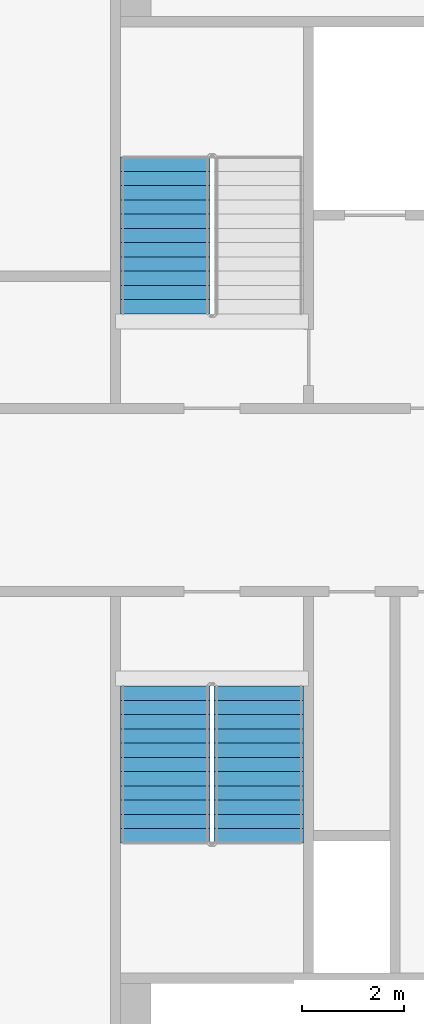
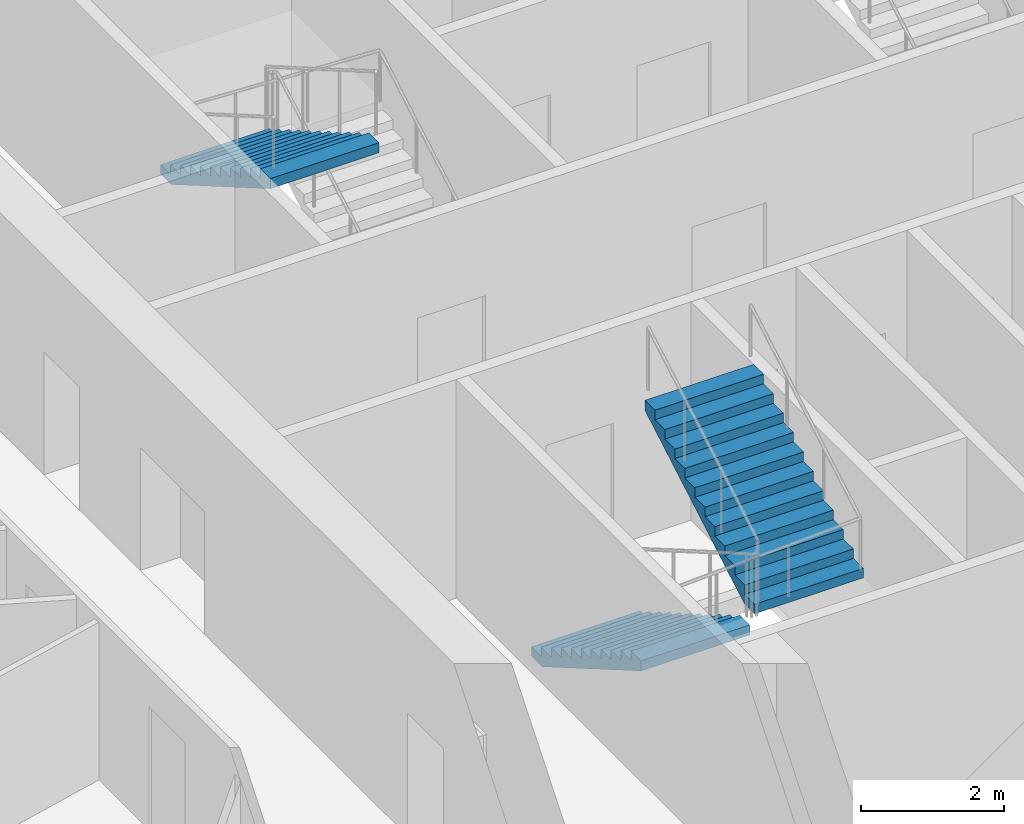
# One storey, part 15 of 22: 3 stair flights, 2 elements without a shape of their own.
"""IFC4 building model written with IfcOpenShell, lengths in metres."""

import ifcopenshell
import ifcopenshell.guid

model = None  # the IFC model being written
_history = None  # IfcOwnerHistory: only IFC2X3 demands one
_inside = {}  # id of a spatial element -> (the spatial element, [elements in it])
_under = {}  # id of a project, library or spatial element -> (it, [spatial elements below it])
_declared = {}  # id of a project -> (the project, [libraries it declares])
_typed = {}  # id of a type object -> (the type object, [elements of that type])
_made_of = {}  # id of a material, layer set ... -> (it, [elements and type objects made of it])


def new_model(schema):
    """Start an empty IFC model of exactly this schema.

    Asked for "IFC4X3", IfcOpenShell would pick the latest addendum, in which some entities
    have other attributes; the version numbers below select the first issue.
    IFC2X3 requires an IfcOwnerHistory on every rooted entity: one is made here for all.
    """
    global model, _history
    if schema == "IFC4X3":
        model = ifcopenshell.file(schema_version=(4, 3, 0, 0))
    else:
        model = ifcopenshell.file(schema=schema)
    _inside.clear()
    _under.clear()
    _declared.clear()
    _typed.clear()
    _made_of.clear()
    _history = None
    if model.schema == "IFC2X3":
        org = make("IfcOrganization", Name="unknown")
        user = make(
            "IfcPersonAndOrganization",
            ThePerson=make("IfcPerson", FamilyName="unknown"),
            TheOrganization=org,
        )
        app = make(
            "IfcApplication",
            ApplicationDeveloper=org,
            Version="unknown",
            ApplicationFullName="unknown",
            ApplicationIdentifier="unknown",
        )
        _history = make(
            "IfcOwnerHistory",
            OwningUser=user,
            OwningApplication=app,
            ChangeAction="ADDED",
            CreationDate=0,
        )
    return model


def make(cls, **values):
    """One entity of the class cls with the attributes given. An attribute that is None is left unset."""
    return model.create_entity(
        cls, **{name: value for name, value in values.items() if value is not None}
    )


def rooted(cls, **values):
    """An entity with a GlobalId (a new one), such as an element, a storey or a relation."""
    return make(cls, GlobalId=ifcopenshell.guid.new(), OwnerHistory=_history, **values)


def si_unit(unit_type, name, prefix=None):
    """IfcSIUnit, for example si_unit("LENGTHUNIT", "METRE", prefix="MILLI")."""
    return make("IfcSIUnit", UnitType=unit_type, Prefix=prefix, Name=name)


def assignment(units):
    """IfcUnitAssignment: the units of a project."""
    return None if units is None else make("IfcUnitAssignment", Units=units)


def point(xyz):
    """IfcCartesianPoint."""
    return None if xyz is None else make("IfcCartesianPoint", Coordinates=xyz)


def direction(xyz):
    """IfcDirection."""
    return None if xyz is None else make("IfcDirection", DirectionRatios=xyz)


def frame(location, z_axis=None, x_axis=None):
    """IfcAxis2Placement3D, a coordinate frame: its origin and axes. An axis left out is left unset."""
    return make(
        "IfcAxis2Placement3D",
        Location=point(location),
        Axis=direction(z_axis),
        RefDirection=direction(x_axis),
    )


def origin():
    """The frame at (0, 0, 0) with its axes left unset."""
    return frame((0.0, 0.0, 0.0))


def place(relative_to, where):
    """IfcLocalPlacement: puts the frame where relative to a parent placement (None: the world)."""
    return make(
        "IfcLocalPlacement", PlacementRelTo=relative_to, RelativePlacement=where
    )


def context(
    kind, dimensions, precision=None, world=None, true_north=None, identifier=None
):
    """IfcGeometricRepresentationContext, for example the 3D "Model" context."""
    return make(
        "IfcGeometricRepresentationContext",
        ContextIdentifier=identifier,
        ContextType=kind,
        CoordinateSpaceDimension=dimensions,
        Precision=precision,
        WorldCoordinateSystem=world,
        TrueNorth=true_north,
    )


def subcontext(parent, identifier, kind, view, scale=None):
    """IfcGeometricRepresentationSubContext, for example "Body" below "Model"."""
    return make(
        "IfcGeometricRepresentationSubContext",
        ContextIdentifier=identifier,
        ContextType=kind,
        ParentContext=parent,
        TargetScale=scale,
        TargetView=view,
    )


def project(units=None, contexts=None):
    """IfcProject with its units and contexts."""
    return rooted(
        "IfcProject",
        Name="project",
        RepresentationContexts=contexts,
        UnitsInContext=assignment(units),
    )


def spatial(cls, under=None, at=None, **own):
    """A site, building, storey or space (cls), placed at a placement, below another one or the project."""
    s = rooted(cls, ObjectPlacement=at, **own)
    if under is not None:
        _under.setdefault(under.id(), (under, []))[1].append(s)
    return s


def faces_of(points, faces, orient=None, outer=None):
    """IfcFace entities. A face is a list of loops; a loop is a list of indices into points, from 0.

    orient and outer hold one flag for each loop. By default every Orientation is true, the
    first loop of a face is its IfcFaceOuterBound and the others are IfcFaceBound.
    """
    made = []
    for i, loops in enumerate(faces):
        bounds = []
        for j, loop in enumerate(loops):
            is_outer = j == 0 if outer is None else outer[i][j]
            bounds.append(
                make(
                    "IfcFaceOuterBound" if is_outer else "IfcFaceBound",
                    Bound=make("IfcPolyLoop", Polygon=[points[k] for k in loop]),
                    Orientation=True if orient is None else orient[i][j],
                )
            )
        made.append(make("IfcFace", Bounds=bounds))
    return made


def faceted_brep(points, faces, orient=None, outer=None, voids=None):
    """IfcFacetedBrep: a solid bounded by flat faces; with voids (closed shells), ...WithVoids."""
    shared = [point(p) for p in points]
    hull = make("IfcClosedShell", CfsFaces=faces_of(shared, faces, orient, outer))
    if voids is None:
        return make("IfcFacetedBrep", Outer=hull)
    return make(
        "IfcFacetedBrepWithVoids",
        Outer=hull,
        Voids=[
            make(cls, CfsFaces=faces_of(shared, fs, o, b)) for cls, fs, o, b in voids
        ],
    )


def shape(context_of_items, identifier, shape_type, items):
    """IfcShapeRepresentation: the items that make up one representation, for example the "Body"."""
    return make(
        "IfcShapeRepresentation",
        ContextOfItems=context_of_items,
        RepresentationIdentifier=identifier,
        RepresentationType=shape_type,
        Items=items,
    )


def material(Name=None, Category=None):
    """IfcMaterial."""
    return make("IfcMaterial", Name=Name, Category=Category)


def made_of(thing, what):
    """Note that an element or type object is made of a material, layer set ...; save() writes the relation."""
    if what is not None:
        _made_of.setdefault(what.id(), (what, []))[1].append(thing)
    return thing


def type_object(cls, material=None, **own):
    """A type object (cls), such as IfcWallType, which elements share."""
    return made_of(rooted(cls, **own), material)


def element(
    cls,
    number,
    at=None,
    inside=None,
    cuts=None,
    type_object=None,
    material=None,
    context=None,
    identifier="Body",
    shape_type=None,
    held_by="IfcProductDefinitionShape",
    body=None,
    shapes=None,
    **own,
):
    """One element of the class cls, such as IfcWall. Its Tag is "e" and its number.

    at: its placement. inside: the storey or other place that contains it. cuts: it is an
    opening in that element (IfcRelVoidsElement). A single representation is given by context,
    identifier, shape_type and body (its items); several are given by shapes. held_by: the class
    of the entity that holds the representations. save() writes the other relations.
    """
    e = rooted(cls, Tag="e%d" % number, ObjectPlacement=at, **own)
    if body is not None:
        shapes = [shape(context, identifier, shape_type, body)]
    if shapes is not None:
        e.Representation = make(held_by, Representations=shapes)
    if inside is not None:
        _inside.setdefault(inside.id(), (inside, []))[1].append(e)
    if cuts is not None:
        rooted(
            "IfcRelVoidsElement", RelatingBuildingElement=cuts, RelatedOpeningElement=e
        )
    if type_object is not None:
        _typed.setdefault(type_object.id(), (type_object, []))[1].append(e)
    return made_of(e, material)


def aggregate(whole, parts):
    """IfcRelAggregates: a whole, such as a stair, and the parts it consists of."""
    return rooted("IfcRelAggregates", RelatingObject=whole, RelatedObjects=parts)


def save(model, path):
    """Write the relations noted so far, then the file.

    IfcRelAggregates (storeys below a building ...), IfcRelContainedInSpatialStructure (elements
    in a storey), IfcRelDefinesByType, IfcRelAssociatesMaterial and IfcRelDeclares: one each for
    every whole, place, type object, material and project.
    """
    for whole, parts in _under.values():
        aggregate(whole, parts)
    for where, things in _inside.values():
        rooted(
            "IfcRelContainedInSpatialStructure",
            RelatedElements=things,
            RelatingStructure=where,
        )
    for kind, things in _typed.values():
        rooted("IfcRelDefinesByType", RelatedObjects=things, RelatingType=kind)
    for what, things in _made_of.values():
        rooted("IfcRelAssociatesMaterial", RelatedObjects=things, RelatingMaterial=what)
    for by, libraries in _declared.values():
        rooted("IfcRelDeclares", RelatingContext=by, RelatedDefinitions=libraries)
    model.write(path)


model = new_model("IFC4")

# Units and contexts
model_context = context("Model", 3, precision=1e-05, world=origin(), true_north=direction((0.0, 1.0)))
body_context = subcontext(model_context, "Body", "Model", "MODEL_VIEW")
ifc_project = project(units=[si_unit("LENGTHUNIT", "METRE"), si_unit("AREAUNIT", "SQUARE_METRE"), si_unit("VOLUMEUNIT", "CUBIC_METRE"), si_unit("PLANEANGLEUNIT", "RADIAN"), si_unit("MASSUNIT", "GRAM", prefix="KILO")], contexts=[model_context])

# Site, building, storey
site_placement = place(None, origin())
site = spatial("IfcSite", under=ifc_project, at=site_placement, CompositionType="ELEMENT")
building_placement = place(site_placement, origin())
building = spatial("IfcBuilding", under=site, at=building_placement, Name="Tarsis Ring Headquarters", CompositionType="ELEMENT")
storey_placement = place(building_placement, frame((0.0, 0.0, 186.60009765625)))
storey = spatial("IfcBuildingStorey", under=building, at=storey_placement, Name="L43", CompositionType="ELEMENT", Elevation=186.60009765625)

# Stair, stair flight
ifc_material_1 = material(Name="Core stair 1760")
stair_type = type_object("IfcStairType", Name="Core stair 1760", PredefinedType="HALF_TURN_STAIR", material=ifc_material_1)
stair_1_placement = place(storey_placement, origin())
stair_1 = element("IfcStair", 1, at=stair_1_placement, inside=storey, type_object=stair_type, Name="L43 Firefighting stair", PredefinedType="HALF_TURN_STAIR")
ifc_material_2 = material(Name="Concrete C40/50", Category="concrete")
stair_flight_type = type_object("IfcStairFlightType", Name="Core stair flight 1760", PredefinedType="STRAIGHT", material=ifc_material_2)
stair_flight_1_placement = place(storey_placement, frame((-5.419921875, 6.739990234375, 1.949951171875), z_axis=(0.0, 0.0, 1.0), x_axis=(0.0, -1.0, 0.0)))
stair_flight_1 = element("IfcStairFlight", 2, at=stair_flight_1_placement, type_object=stair_flight_type, Name="Stair ST1 flight 2", NumberOfRisers=12, NumberOfTreads=11, PredefinedType="STRAIGHT", RiserHeight=0.1625, TreadLength=0.28, context=body_context, shape_type="Brep", body=[
    faceted_brep([(0.0, 0.8798828125, 0.0), (0.0, 0.8798828125, 0.16259765625), (0.280029296875, 0.8798828125, 0.16259765625), (0.280029296875, 0.8798828125, 0.324951171875), (0.56005859375, 0.8798828125, 0.324951171875), (0.56005859375, 0.8798828125, 0.487548828125), (0.840087890625, 0.8798828125, 0.487548828125), (0.840087890625, 0.8798828125, 0.64990234375), (1.1201171875, 0.8798828125, 0.64990234375), (1.1201171875, 0.8798828125, 0.8125), (1.39990234375, 0.8798828125, 0.8125), (1.39990234375, 0.8798828125, 0.97509765625), (1.679931640625, 0.8798828125, 0.97509765625), (1.679931640625, 0.8798828125, 1.137451171875), (1.9599609375, 0.8798828125, 1.137451171875), (1.9599609375, 0.8798828125, 1.300048828125), (2.239990234375, 0.8798828125, 1.300048828125), (2.239990234375, 0.8798828125, 1.46240234375), (2.52001953125, 0.8798828125, 1.46240234375), (2.52001953125, 0.8798828125, 1.625), (2.800048828125, 0.8798828125, 1.625), (2.800048828125, 0.8798828125, 1.78759765625), (3.080078125, 0.8798828125, 1.78759765625), (3.080078125, 0.8798828125, 1.6142578125), (0.298583984375, 0.8798828125, 0.0), (0.298583984375, -0.8798828125, 0.0), (3.080078125, -0.8798828125, 1.6142578125), (3.080078125, -0.8798828125, 1.78759765625), (2.800048828125, -0.8798828125, 1.78759765625), (2.800048828125, -0.8798828125, 1.625), (2.52001953125, -0.8798828125, 1.625), (2.52001953125, -0.8798828125, 1.46240234375), (2.239990234375, -0.8798828125, 1.46240234375), (2.239990234375, -0.8798828125, 1.300048828125), (1.9599609375, -0.8798828125, 1.300048828125), (1.9599609375, -0.8798828125, 1.137451171875), (1.679931640625, -0.8798828125, 1.137451171875), (1.679931640625, -0.8798828125, 0.97509765625), (1.39990234375, -0.8798828125, 0.97509765625), (1.39990234375, -0.8798828125, 0.8125), (1.1201171875, -0.8798828125, 0.8125), (1.1201171875, -0.8798828125, 0.64990234375), (0.840087890625, -0.8798828125, 0.64990234375), (0.840087890625, -0.8798828125, 0.487548828125), (0.56005859375, -0.8798828125, 0.487548828125), (0.56005859375, -0.8798828125, 0.324951171875), (0.280029296875, -0.8798828125, 0.324951171875), (0.280029296875, -0.8798828125, 0.16259765625), (0.0, -0.8798828125, 0.16259765625), (0.0, -0.8798828125, 0.0), (0.0, -0.43994140625, 0.16259765625), (0.0, -0.43994140625, 0.0), (0.0, 0.0, 0.16259765625), (0.0, 0.0, 0.0), (0.0, 0.43994140625, 0.16259765625), (0.0, 0.43994140625, 0.0), (0.280029296875, -0.43994140625, 0.16259765625), (0.280029296875, 0.0, 0.16259765625), (0.280029296875, 0.43994140625, 0.16259765625), (0.280029296875, -0.43994140625, 0.324951171875), (0.280029296875, 0.0, 0.324951171875), (0.280029296875, 0.43994140625, 0.324951171875), (0.56005859375, -0.43994140625, 0.324951171875), (0.56005859375, 0.0, 0.324951171875), (0.56005859375, 0.43994140625, 0.324951171875), (0.56005859375, -0.43994140625, 0.487548828125), (0.56005859375, 0.0, 0.487548828125), (0.56005859375, 0.43994140625, 0.487548828125), (0.840087890625, -0.43994140625, 0.487548828125), (0.840087890625, 0.0, 0.487548828125), (0.840087890625, 0.43994140625, 0.487548828125), (0.840087890625, -0.43994140625, 0.64990234375), (0.840087890625, 0.0, 0.64990234375), (0.840087890625, 0.43994140625, 0.64990234375), (1.1201171875, -0.43994140625, 0.64990234375), (1.1201171875, 0.0, 0.64990234375), (1.1201171875, 0.43994140625, 0.64990234375), (1.1201171875, -0.43994140625, 0.8125), (1.1201171875, 0.0, 0.8125), (1.1201171875, 0.43994140625, 0.8125), (1.39990234375, -0.43994140625, 0.8125), (1.39990234375, 0.0, 0.8125), (1.39990234375, 0.43994140625, 0.8125), (1.39990234375, -0.43994140625, 0.97509765625), (1.39990234375, 0.0, 0.97509765625), (1.39990234375, 0.43994140625, 0.97509765625), (1.679931640625, -0.43994140625, 0.97509765625), (1.679931640625, 0.0, 0.97509765625), (1.679931640625, 0.43994140625, 0.97509765625), (1.679931640625, -0.43994140625, 1.137451171875), (1.679931640625, 0.0, 1.137451171875), (1.679931640625, 0.43994140625, 1.137451171875), (1.9599609375, -0.43994140625, 1.137451171875), (1.9599609375, 0.0, 1.137451171875), (1.9599609375, 0.43994140625, 1.137451171875), (1.9599609375, -0.43994140625, 1.300048828125), (1.9599609375, 0.0, 1.300048828125), (1.9599609375, 0.43994140625, 1.300048828125), (2.239990234375, -0.43994140625, 1.300048828125), (2.239990234375, 0.0, 1.300048828125), (2.239990234375, 0.43994140625, 1.300048828125), (2.239990234375, -0.43994140625, 1.46240234375), (2.239990234375, 0.0, 1.46240234375), (2.239990234375, 0.43994140625, 1.46240234375), (2.52001953125, -0.43994140625, 1.46240234375), (2.52001953125, 0.0, 1.46240234375), (2.52001953125, 0.43994140625, 1.46240234375), (2.52001953125, -0.43994140625, 1.625), (2.52001953125, 0.0, 1.625), (2.52001953125, 0.43994140625, 1.625), (2.800048828125, -0.43994140625, 1.625), (2.800048828125, 0.0, 1.625), (2.800048828125, 0.43994140625, 1.625), (2.800048828125, -0.43994140625, 1.78759765625), (2.800048828125, 0.0, 1.78759765625), (2.800048828125, 0.43994140625, 1.78759765625), (3.080078125, -0.43994140625, 1.78759765625), (3.080078125, 0.0, 1.78759765625), (3.080078125, 0.43994140625, 1.78759765625), (3.080078125, -0.43994140625, 1.6142578125), (3.080078125, 0.0, 1.6142578125), (3.080078125, 0.43994140625, 1.6142578125), (0.298583984375, -0.43994140625, 0.0), (0.298583984375, 0.0, 0.0), (0.298583984375, 0.43994140625, 0.0)], [[[0, 1, 2, 3, 4, 5, 6, 7, 8, 9, 10, 11, 12, 13, 14, 15, 16, 17, 18, 19, 20, 21, 22, 23, 24]], [[25, 26, 27, 28, 29, 30, 31, 32, 33, 34, 35, 36, 37, 38, 39, 40, 41, 42, 43, 44, 45, 46, 47, 48, 49]], [[49, 48, 50, 51]], [[51, 50, 52, 53]], [[53, 52, 54, 55]], [[55, 54, 1, 0]], [[48, 47, 56, 50]], [[50, 56, 57, 52]], [[52, 57, 58, 54]], [[54, 58, 2, 1]], [[47, 46, 59, 56]], [[56, 59, 60, 57]], [[57, 60, 61, 58]], [[58, 61, 3, 2]], [[46, 45, 62, 59]], [[59, 62, 63, 60]], [[60, 63, 64, 61]], [[61, 64, 4, 3]], [[45, 44, 65, 62]], [[62, 65, 66, 63]], [[63, 66, 67, 64]], [[64, 67, 5, 4]], [[44, 43, 68, 65]], [[65, 68, 69, 66]], [[66, 69, 70, 67]], [[67, 70, 6, 5]], [[43, 42, 71, 68]], [[68, 71, 72, 69]], [[69, 72, 73, 70]], [[70, 73, 7, 6]], [[42, 41, 74, 71]], [[71, 74, 75, 72]], [[72, 75, 76, 73]], [[73, 76, 8, 7]], [[41, 40, 77, 74]], [[74, 77, 78, 75]], [[75, 78, 79, 76]], [[76, 79, 9, 8]], [[40, 39, 80, 77]], [[77, 80, 81, 78]], [[78, 81, 82, 79]], [[79, 82, 10, 9]], [[39, 38, 83, 80]], [[80, 83, 84, 81]], [[81, 84, 85, 82]], [[82, 85, 11, 10]], [[38, 37, 86, 83]], [[83, 86, 87, 84]], [[84, 87, 88, 85]], [[85, 88, 12, 11]], [[37, 36, 89, 86]], [[86, 89, 90, 87]], [[87, 90, 91, 88]], [[88, 91, 13, 12]], [[36, 35, 92, 89]], [[89, 92, 93, 90]], [[90, 93, 94, 91]], [[91, 94, 14, 13]], [[35, 34, 95, 92]], [[92, 95, 96, 93]], [[93, 96, 97, 94]], [[94, 97, 15, 14]], [[34, 33, 98, 95]], [[95, 98, 99, 96]], [[96, 99, 100, 97]], [[97, 100, 16, 15]], [[33, 32, 101, 98]], [[98, 101, 102, 99]], [[99, 102, 103, 100]], [[100, 103, 17, 16]], [[32, 31, 104, 101]], [[101, 104, 105, 102]], [[102, 105, 106, 103]], [[103, 106, 18, 17]], [[31, 30, 107, 104]], [[104, 107, 108, 105]], [[105, 108, 109, 106]], [[106, 109, 19, 18]], [[30, 29, 110, 107]], [[107, 110, 111, 108]], [[108, 111, 112, 109]], [[109, 112, 20, 19]], [[29, 28, 113, 110]], [[110, 113, 114, 111]], [[111, 114, 115, 112]], [[112, 115, 21, 20]], [[28, 27, 116, 113]], [[113, 116, 117, 114]], [[114, 117, 118, 115]], [[115, 118, 22, 21]], [[27, 26, 119, 116]], [[116, 119, 120, 117]], [[117, 120, 121, 118]], [[118, 121, 23, 22]], [[26, 25, 122, 119]], [[119, 122, 123, 120]], [[120, 123, 124, 121]], [[121, 124, 24, 23]], [[25, 49, 51, 122]], [[122, 51, 53, 123]], [[123, 53, 55, 124]], [[124, 55, 0, 24]]]),
])
aggregate(stair_1, [stair_flight_1])

# Stair, stair flights
stair_2_placement = place(storey_placement, origin())
stair_2 = element("IfcStair", 3, at=stair_2_placement, inside=storey, type_object=stair_type, Name="L43 Exit stair C", PredefinedType="HALF_TURN_STAIR")
stair_flight_2_placement = place(storey_placement, frame((-5.419921875, -3.659912109375, 0.0), z_axis=(0.0, 0.0, 1.0), x_axis=(0.0, -1.0, 0.0)))
stair_flight_2 = element("IfcStairFlight", 4, at=stair_flight_2_placement, type_object=stair_flight_type, Name="Stair ST3 flight 1", NumberOfRisers=12, NumberOfTreads=11, PredefinedType="STRAIGHT", RiserHeight=0.1625, TreadLength=0.28, context=body_context, shape_type="Brep", body=[
    faceted_brep([(0.0, 0.8798828125, 0.0), (0.0, 0.8798828125, 0.16259765625), (0.280029296875, 0.8798828125, 0.16259765625), (0.280029296875, 0.8798828125, 0.324951171875), (0.56005859375, 0.8798828125, 0.324951171875), (0.56005859375, 0.8798828125, 0.487548828125), (0.840087890625, 0.8798828125, 0.487548828125), (0.840087890625, 0.8798828125, 0.64990234375), (1.1201171875, 0.8798828125, 0.64990234375), (1.1201171875, 0.8798828125, 0.8125), (1.39990234375, 0.8798828125, 0.8125), (1.39990234375, 0.8798828125, 0.97509765625), (1.679931640625, 0.8798828125, 0.97509765625), (1.679931640625, 0.8798828125, 1.137451171875), (1.9599609375, 0.8798828125, 1.137451171875), (1.9599609375, 0.8798828125, 1.300048828125), (2.239990234375, 0.8798828125, 1.300048828125), (2.239990234375, 0.8798828125, 1.46240234375), (2.52001953125, 0.8798828125, 1.46240234375), (2.52001953125, 0.8798828125, 1.625), (2.800048828125, 0.8798828125, 1.625), (2.800048828125, 0.8798828125, 1.78759765625), (3.080078125, 0.8798828125, 1.78759765625), (3.080078125, 0.8798828125, 1.6142578125), (0.298583984375, 0.8798828125, 0.0), (0.298583984375, -0.8798828125, 0.0), (3.080078125, -0.8798828125, 1.6142578125), (3.080078125, -0.8798828125, 1.78759765625), (2.800048828125, -0.8798828125, 1.78759765625), (2.800048828125, -0.8798828125, 1.625), (2.52001953125, -0.8798828125, 1.625), (2.52001953125, -0.8798828125, 1.46240234375), (2.239990234375, -0.8798828125, 1.46240234375), (2.239990234375, -0.8798828125, 1.300048828125), (1.9599609375, -0.8798828125, 1.300048828125), (1.9599609375, -0.8798828125, 1.137451171875), (1.679931640625, -0.8798828125, 1.137451171875), (1.679931640625, -0.8798828125, 0.97509765625), (1.39990234375, -0.8798828125, 0.97509765625), (1.39990234375, -0.8798828125, 0.8125), (1.1201171875, -0.8798828125, 0.8125), (1.1201171875, -0.8798828125, 0.64990234375), (0.840087890625, -0.8798828125, 0.64990234375), (0.840087890625, -0.8798828125, 0.487548828125), (0.56005859375, -0.8798828125, 0.487548828125), (0.56005859375, -0.8798828125, 0.324951171875), (0.280029296875, -0.8798828125, 0.324951171875), (0.280029296875, -0.8798828125, 0.16259765625), (0.0, -0.8798828125, 0.16259765625), (0.0, -0.8798828125, 0.0), (0.0, -0.43994140625, 0.16259765625), (0.0, -0.43994140625, 0.0), (0.0, 0.0, 0.16259765625), (0.0, 0.0, 0.0), (0.0, 0.43994140625, 0.16259765625), (0.0, 0.43994140625, 0.0), (0.280029296875, -0.43994140625, 0.16259765625), (0.280029296875, 0.0, 0.16259765625), (0.280029296875, 0.43994140625, 0.16259765625), (0.280029296875, -0.43994140625, 0.324951171875), (0.280029296875, 0.0, 0.324951171875), (0.280029296875, 0.43994140625, 0.324951171875), (0.56005859375, -0.43994140625, 0.324951171875), (0.56005859375, 0.0, 0.324951171875), (0.56005859375, 0.43994140625, 0.324951171875), (0.56005859375, -0.43994140625, 0.487548828125), (0.56005859375, 0.0, 0.487548828125), (0.56005859375, 0.43994140625, 0.487548828125), (0.840087890625, -0.43994140625, 0.487548828125), (0.840087890625, 0.0, 0.487548828125), (0.840087890625, 0.43994140625, 0.487548828125), (0.840087890625, -0.43994140625, 0.64990234375), (0.840087890625, 0.0, 0.64990234375), (0.840087890625, 0.43994140625, 0.64990234375), (1.1201171875, -0.43994140625, 0.64990234375), (1.1201171875, 0.0, 0.64990234375), (1.1201171875, 0.43994140625, 0.64990234375), (1.1201171875, -0.43994140625, 0.8125), (1.1201171875, 0.0, 0.8125), (1.1201171875, 0.43994140625, 0.8125), (1.39990234375, -0.43994140625, 0.8125), (1.39990234375, 0.0, 0.8125), (1.39990234375, 0.43994140625, 0.8125), (1.39990234375, -0.43994140625, 0.97509765625), (1.39990234375, 0.0, 0.97509765625), (1.39990234375, 0.43994140625, 0.97509765625), (1.679931640625, -0.43994140625, 0.97509765625), (1.679931640625, 0.0, 0.97509765625), (1.679931640625, 0.43994140625, 0.97509765625), (1.679931640625, -0.43994140625, 1.137451171875), (1.679931640625, 0.0, 1.137451171875), (1.679931640625, 0.43994140625, 1.137451171875), (1.9599609375, -0.43994140625, 1.137451171875), (1.9599609375, 0.0, 1.137451171875), (1.9599609375, 0.43994140625, 1.137451171875), (1.9599609375, -0.43994140625, 1.300048828125), (1.9599609375, 0.0, 1.300048828125), (1.9599609375, 0.43994140625, 1.300048828125), (2.239990234375, -0.43994140625, 1.300048828125), (2.239990234375, 0.0, 1.300048828125), (2.239990234375, 0.43994140625, 1.300048828125), (2.239990234375, -0.43994140625, 1.46240234375), (2.239990234375, 0.0, 1.46240234375), (2.239990234375, 0.43994140625, 1.46240234375), (2.52001953125, -0.43994140625, 1.46240234375), (2.52001953125, 0.0, 1.46240234375), (2.52001953125, 0.43994140625, 1.46240234375), (2.52001953125, -0.43994140625, 1.625), (2.52001953125, 0.0, 1.625), (2.52001953125, 0.43994140625, 1.625), (2.800048828125, -0.43994140625, 1.625), (2.800048828125, 0.0, 1.625), (2.800048828125, 0.43994140625, 1.625), (2.800048828125, -0.43994140625, 1.78759765625), (2.800048828125, 0.0, 1.78759765625), (2.800048828125, 0.43994140625, 1.78759765625), (3.080078125, -0.43994140625, 1.78759765625), (3.080078125, 0.0, 1.78759765625), (3.080078125, 0.43994140625, 1.78759765625), (3.080078125, -0.43994140625, 1.6142578125), (3.080078125, 0.0, 1.6142578125), (3.080078125, 0.43994140625, 1.6142578125), (0.298583984375, -0.43994140625, 0.0), (0.298583984375, 0.0, 0.0), (0.298583984375, 0.43994140625, 0.0)], [[[0, 1, 2, 3, 4, 5, 6, 7, 8, 9, 10, 11, 12, 13, 14, 15, 16, 17, 18, 19, 20, 21, 22, 23, 24]], [[25, 26, 27, 28, 29, 30, 31, 32, 33, 34, 35, 36, 37, 38, 39, 40, 41, 42, 43, 44, 45, 46, 47, 48, 49]], [[49, 48, 50, 51]], [[51, 50, 52, 53]], [[53, 52, 54, 55]], [[55, 54, 1, 0]], [[48, 47, 56, 50]], [[50, 56, 57, 52]], [[52, 57, 58, 54]], [[54, 58, 2, 1]], [[47, 46, 59, 56]], [[56, 59, 60, 57]], [[57, 60, 61, 58]], [[58, 61, 3, 2]], [[46, 45, 62, 59]], [[59, 62, 63, 60]], [[60, 63, 64, 61]], [[61, 64, 4, 3]], [[45, 44, 65, 62]], [[62, 65, 66, 63]], [[63, 66, 67, 64]], [[64, 67, 5, 4]], [[44, 43, 68, 65]], [[65, 68, 69, 66]], [[66, 69, 70, 67]], [[67, 70, 6, 5]], [[43, 42, 71, 68]], [[68, 71, 72, 69]], [[69, 72, 73, 70]], [[70, 73, 7, 6]], [[42, 41, 74, 71]], [[71, 74, 75, 72]], [[72, 75, 76, 73]], [[73, 76, 8, 7]], [[41, 40, 77, 74]], [[74, 77, 78, 75]], [[75, 78, 79, 76]], [[76, 79, 9, 8]], [[40, 39, 80, 77]], [[77, 80, 81, 78]], [[78, 81, 82, 79]], [[79, 82, 10, 9]], [[39, 38, 83, 80]], [[80, 83, 84, 81]], [[81, 84, 85, 82]], [[82, 85, 11, 10]], [[38, 37, 86, 83]], [[83, 86, 87, 84]], [[84, 87, 88, 85]], [[85, 88, 12, 11]], [[37, 36, 89, 86]], [[86, 89, 90, 87]], [[87, 90, 91, 88]], [[88, 91, 13, 12]], [[36, 35, 92, 89]], [[89, 92, 93, 90]], [[90, 93, 94, 91]], [[91, 94, 14, 13]], [[35, 34, 95, 92]], [[92, 95, 96, 93]], [[93, 96, 97, 94]], [[94, 97, 15, 14]], [[34, 33, 98, 95]], [[95, 98, 99, 96]], [[96, 99, 100, 97]], [[97, 100, 16, 15]], [[33, 32, 101, 98]], [[98, 101, 102, 99]], [[99, 102, 103, 100]], [[100, 103, 17, 16]], [[32, 31, 104, 101]], [[101, 104, 105, 102]], [[102, 105, 106, 103]], [[103, 106, 18, 17]], [[31, 30, 107, 104]], [[104, 107, 108, 105]], [[105, 108, 109, 106]], [[106, 109, 19, 18]], [[30, 29, 110, 107]], [[107, 110, 111, 108]], [[108, 111, 112, 109]], [[109, 112, 20, 19]], [[29, 28, 113, 110]], [[110, 113, 114, 111]], [[111, 114, 115, 112]], [[112, 115, 21, 20]], [[28, 27, 116, 113]], [[113, 116, 117, 114]], [[114, 117, 118, 115]], [[115, 118, 22, 21]], [[27, 26, 119, 116]], [[116, 119, 120, 117]], [[117, 120, 121, 118]], [[118, 121, 23, 22]], [[26, 25, 122, 119]], [[119, 122, 123, 120]], [[120, 123, 124, 121]], [[121, 124, 24, 23]], [[25, 49, 51, 122]], [[122, 51, 53, 123]], [[123, 53, 55, 124]], [[124, 55, 0, 24]]]),
])
stair_flight_3_placement = place(storey_placement, frame((-3.580078125, -6.739990234375, 1.949951171875), z_axis=(0.0, 0.0, 1.0), x_axis=(0.0, 1.0, 0.0)))
stair_flight_3 = element("IfcStairFlight", 5, at=stair_flight_3_placement, type_object=stair_flight_type, Name="Stair ST3 flight 2", NumberOfRisers=12, NumberOfTreads=11, PredefinedType="STRAIGHT", RiserHeight=0.1625, TreadLength=0.28, context=body_context, shape_type="Brep", body=[
    faceted_brep([(0.0, 0.8798828125, 0.0), (0.0, 0.8798828125, 0.16259765625), (0.280029296875, 0.8798828125, 0.16259765625), (0.280029296875, 0.8798828125, 0.324951171875), (0.56005859375, 0.8798828125, 0.324951171875), (0.56005859375, 0.8798828125, 0.487548828125), (0.840087890625, 0.8798828125, 0.487548828125), (0.840087890625, 0.8798828125, 0.64990234375), (1.1201171875, 0.8798828125, 0.64990234375), (1.1201171875, 0.8798828125, 0.8125), (1.39990234375, 0.8798828125, 0.8125), (1.39990234375, 0.8798828125, 0.97509765625), (1.679931640625, 0.8798828125, 0.97509765625), (1.679931640625, 0.8798828125, 1.137451171875), (1.9599609375, 0.8798828125, 1.137451171875), (1.9599609375, 0.8798828125, 1.300048828125), (2.239990234375, 0.8798828125, 1.300048828125), (2.239990234375, 0.8798828125, 1.46240234375), (2.52001953125, 0.8798828125, 1.46240234375), (2.52001953125, 0.8798828125, 1.625), (2.800048828125, 0.8798828125, 1.625), (2.800048828125, 0.8798828125, 1.78759765625), (3.080078125, 0.8798828125, 1.78759765625), (3.080078125, 0.8798828125, 1.6142578125), (0.298583984375, 0.8798828125, 0.0), (0.298583984375, -0.8798828125, 0.0), (3.080078125, -0.8798828125, 1.6142578125), (3.080078125, -0.8798828125, 1.78759765625), (2.800048828125, -0.8798828125, 1.78759765625), (2.800048828125, -0.8798828125, 1.625), (2.52001953125, -0.8798828125, 1.625), (2.52001953125, -0.8798828125, 1.46240234375), (2.239990234375, -0.8798828125, 1.46240234375), (2.239990234375, -0.8798828125, 1.300048828125), (1.9599609375, -0.8798828125, 1.300048828125), (1.9599609375, -0.8798828125, 1.137451171875), (1.679931640625, -0.8798828125, 1.137451171875), (1.679931640625, -0.8798828125, 0.97509765625), (1.39990234375, -0.8798828125, 0.97509765625), (1.39990234375, -0.8798828125, 0.8125), (1.1201171875, -0.8798828125, 0.8125), (1.1201171875, -0.8798828125, 0.64990234375), (0.840087890625, -0.8798828125, 0.64990234375), (0.840087890625, -0.8798828125, 0.487548828125), (0.56005859375, -0.8798828125, 0.487548828125), (0.56005859375, -0.8798828125, 0.324951171875), (0.280029296875, -0.8798828125, 0.324951171875), (0.280029296875, -0.8798828125, 0.16259765625), (0.0, -0.8798828125, 0.16259765625), (0.0, -0.8798828125, 0.0), (0.0, -0.43994140625, 0.16259765625), (0.0, -0.43994140625, 0.0), (0.0, 0.0, 0.16259765625), (0.0, 0.0, 0.0), (0.0, 0.43994140625, 0.16259765625), (0.0, 0.43994140625, 0.0), (0.280029296875, -0.43994140625, 0.16259765625), (0.280029296875, 0.0, 0.16259765625), (0.280029296875, 0.43994140625, 0.16259765625), (0.280029296875, -0.43994140625, 0.324951171875), (0.280029296875, 0.0, 0.324951171875), (0.280029296875, 0.43994140625, 0.324951171875), (0.56005859375, -0.43994140625, 0.324951171875), (0.56005859375, 0.0, 0.324951171875), (0.56005859375, 0.43994140625, 0.324951171875), (0.56005859375, -0.43994140625, 0.487548828125), (0.56005859375, 0.0, 0.487548828125), (0.56005859375, 0.43994140625, 0.487548828125), (0.840087890625, -0.43994140625, 0.487548828125), (0.840087890625, 0.0, 0.487548828125), (0.840087890625, 0.43994140625, 0.487548828125), (0.840087890625, -0.43994140625, 0.64990234375), (0.840087890625, 0.0, 0.64990234375), (0.840087890625, 0.43994140625, 0.64990234375), (1.1201171875, -0.43994140625, 0.64990234375), (1.1201171875, 0.0, 0.64990234375), (1.1201171875, 0.43994140625, 0.64990234375), (1.1201171875, -0.43994140625, 0.8125), (1.1201171875, 0.0, 0.8125), (1.1201171875, 0.43994140625, 0.8125), (1.39990234375, -0.43994140625, 0.8125), (1.39990234375, 0.0, 0.8125), (1.39990234375, 0.43994140625, 0.8125), (1.39990234375, -0.43994140625, 0.97509765625), (1.39990234375, 0.0, 0.97509765625), (1.39990234375, 0.43994140625, 0.97509765625), (1.679931640625, -0.43994140625, 0.97509765625), (1.679931640625, 0.0, 0.97509765625), (1.679931640625, 0.43994140625, 0.97509765625), (1.679931640625, -0.43994140625, 1.137451171875), (1.679931640625, 0.0, 1.137451171875), (1.679931640625, 0.43994140625, 1.137451171875), (1.9599609375, -0.43994140625, 1.137451171875), (1.9599609375, 0.0, 1.137451171875), (1.9599609375, 0.43994140625, 1.137451171875), (1.9599609375, -0.43994140625, 1.300048828125), (1.9599609375, 0.0, 1.300048828125), (1.9599609375, 0.43994140625, 1.300048828125), (2.239990234375, -0.43994140625, 1.300048828125), (2.239990234375, 0.0, 1.300048828125), (2.239990234375, 0.43994140625, 1.300048828125), (2.239990234375, -0.43994140625, 1.46240234375), (2.239990234375, 0.0, 1.46240234375), (2.239990234375, 0.43994140625, 1.46240234375), (2.52001953125, -0.43994140625, 1.46240234375), (2.52001953125, 0.0, 1.46240234375), (2.52001953125, 0.43994140625, 1.46240234375), (2.52001953125, -0.43994140625, 1.625), (2.52001953125, 0.0, 1.625), (2.52001953125, 0.43994140625, 1.625), (2.800048828125, -0.43994140625, 1.625), (2.800048828125, 0.0, 1.625), (2.800048828125, 0.43994140625, 1.625), (2.800048828125, -0.43994140625, 1.78759765625), (2.800048828125, 0.0, 1.78759765625), (2.800048828125, 0.43994140625, 1.78759765625), (3.080078125, -0.43994140625, 1.78759765625), (3.080078125, 0.0, 1.78759765625), (3.080078125, 0.43994140625, 1.78759765625), (3.080078125, -0.43994140625, 1.6142578125), (3.080078125, 0.0, 1.6142578125), (3.080078125, 0.43994140625, 1.6142578125), (0.298583984375, -0.43994140625, 0.0), (0.298583984375, 0.0, 0.0), (0.298583984375, 0.43994140625, 0.0)], [[[0, 1, 2, 3, 4, 5, 6, 7, 8, 9, 10, 11, 12, 13, 14, 15, 16, 17, 18, 19, 20, 21, 22, 23, 24]], [[25, 26, 27, 28, 29, 30, 31, 32, 33, 34, 35, 36, 37, 38, 39, 40, 41, 42, 43, 44, 45, 46, 47, 48, 49]], [[49, 48, 50, 51]], [[51, 50, 52, 53]], [[53, 52, 54, 55]], [[55, 54, 1, 0]], [[48, 47, 56, 50]], [[50, 56, 57, 52]], [[52, 57, 58, 54]], [[54, 58, 2, 1]], [[47, 46, 59, 56]], [[56, 59, 60, 57]], [[57, 60, 61, 58]], [[58, 61, 3, 2]], [[46, 45, 62, 59]], [[59, 62, 63, 60]], [[60, 63, 64, 61]], [[61, 64, 4, 3]], [[45, 44, 65, 62]], [[62, 65, 66, 63]], [[63, 66, 67, 64]], [[64, 67, 5, 4]], [[44, 43, 68, 65]], [[65, 68, 69, 66]], [[66, 69, 70, 67]], [[67, 70, 6, 5]], [[43, 42, 71, 68]], [[68, 71, 72, 69]], [[69, 72, 73, 70]], [[70, 73, 7, 6]], [[42, 41, 74, 71]], [[71, 74, 75, 72]], [[72, 75, 76, 73]], [[73, 76, 8, 7]], [[41, 40, 77, 74]], [[74, 77, 78, 75]], [[75, 78, 79, 76]], [[76, 79, 9, 8]], [[40, 39, 80, 77]], [[77, 80, 81, 78]], [[78, 81, 82, 79]], [[79, 82, 10, 9]], [[39, 38, 83, 80]], [[80, 83, 84, 81]], [[81, 84, 85, 82]], [[82, 85, 11, 10]], [[38, 37, 86, 83]], [[83, 86, 87, 84]], [[84, 87, 88, 85]], [[85, 88, 12, 11]], [[37, 36, 89, 86]], [[86, 89, 90, 87]], [[87, 90, 91, 88]], [[88, 91, 13, 12]], [[36, 35, 92, 89]], [[89, 92, 93, 90]], [[90, 93, 94, 91]], [[91, 94, 14, 13]], [[35, 34, 95, 92]], [[92, 95, 96, 93]], [[93, 96, 97, 94]], [[94, 97, 15, 14]], [[34, 33, 98, 95]], [[95, 98, 99, 96]], [[96, 99, 100, 97]], [[97, 100, 16, 15]], [[33, 32, 101, 98]], [[98, 101, 102, 99]], [[99, 102, 103, 100]], [[100, 103, 17, 16]], [[32, 31, 104, 101]], [[101, 104, 105, 102]], [[102, 105, 106, 103]], [[103, 106, 18, 17]], [[31, 30, 107, 104]], [[104, 107, 108, 105]], [[105, 108, 109, 106]], [[106, 109, 19, 18]], [[30, 29, 110, 107]], [[107, 110, 111, 108]], [[108, 111, 112, 109]], [[109, 112, 20, 19]], [[29, 28, 113, 110]], [[110, 113, 114, 111]], [[111, 114, 115, 112]], [[112, 115, 21, 20]], [[28, 27, 116, 113]], [[113, 116, 117, 114]], [[114, 117, 118, 115]], [[115, 118, 22, 21]], [[27, 26, 119, 116]], [[116, 119, 120, 117]], [[117, 120, 121, 118]], [[118, 121, 23, 22]], [[26, 25, 122, 119]], [[119, 122, 123, 120]], [[120, 123, 124, 121]], [[121, 124, 24, 23]], [[25, 49, 51, 122]], [[122, 51, 53, 123]], [[123, 53, 55, 124]], [[124, 55, 0, 24]]]),
])
aggregate(stair_2, [stair_flight_2, stair_flight_3])

save(model, "model.ifc")
